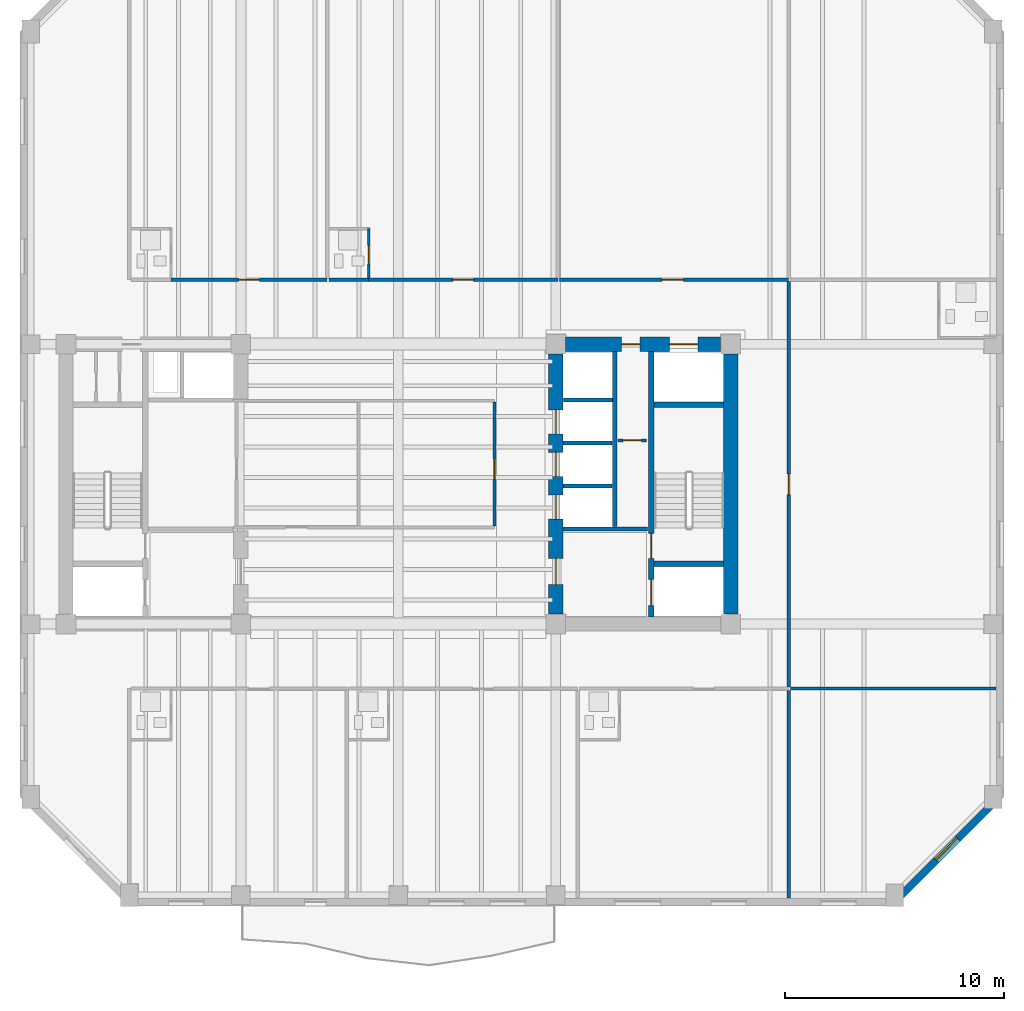
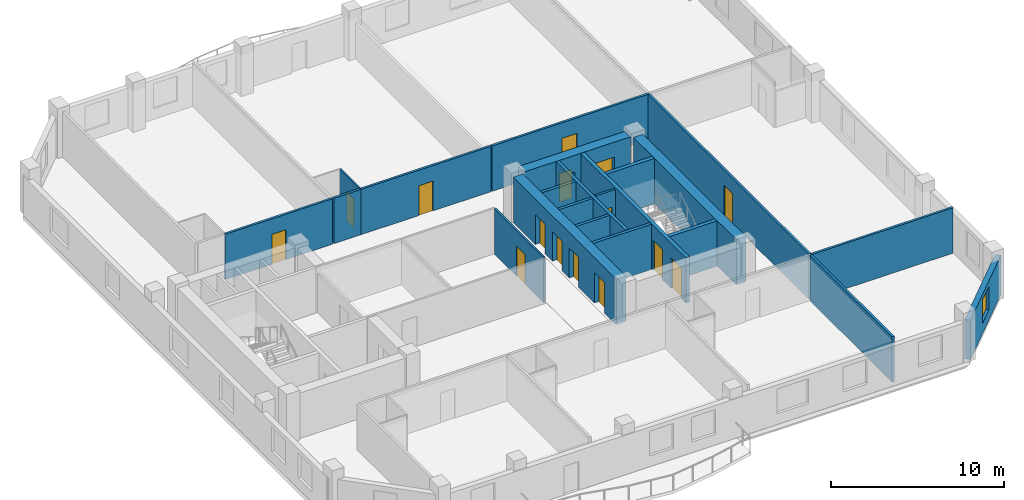
# One storey, part 4 of 9: 22 walls, 15 doors, 1 window, 16 openings.
"""IFC4 building model written with IfcOpenShell, lengths in metres."""

from ifc_helpers import new_model, si_unit, direction, frame, frame_2d, origin, place, context, subcontext, project, spatial, rectangle, extrude, material, layer, layer_set, type_object, element, fill, save


model = new_model("IFC4")

# Units and contexts
model_context = context("Model", 3, precision=1e-05, world=origin(), true_north=direction((0.0, 1.0)))
body_context = subcontext(model_context, "Body", "Model", "MODEL_VIEW")
ifc_project = project(units=[si_unit("LENGTHUNIT", "METRE"), si_unit("AREAUNIT", "SQUARE_METRE"), si_unit("VOLUMEUNIT", "CUBIC_METRE"), si_unit("PLANEANGLEUNIT", "RADIAN"), si_unit("MASSUNIT", "GRAM", prefix="KILO")], contexts=[model_context])

# Site, building, storey
site_placement = place(None, origin())
site = spatial("IfcSite", under=ifc_project, at=site_placement, CompositionType="ELEMENT")
building_placement = place(site_placement, origin())
building = spatial("IfcBuilding", under=site, at=building_placement, Name="Kranthara Brick Stack", CompositionType="ELEMENT")
storey_placement = place(building_placement, frame((0.0, 0.0, 165.800048828125)))
storey = spatial("IfcBuildingStorey", under=building, at=storey_placement, Name="L42", CompositionType="ELEMENT", Elevation=165.800048828125)

# Wall, opening, window
ifc_material_1 = material(Name="Kiln-fired clay brick masonry M15", Category="masonry")
ifc_layer_1 = layer(ifc_material_1, 0.35009765625)
ifc_layer_set_1 = layer_set([ifc_layer_1], Name="Kiln-fired clay brick masonry M15")
wall_type_1 = type_object("IfcWallType", Name="WL-BRK-SPND-350", PredefinedType="STANDARD", material=ifc_layer_set_1)
wall_1_placement = place(storey_placement, frame((55.5048828125, 12.89990234375, 0.0), z_axis=(0.0, 0.0, 1.0), x_axis=(-0.707106781187, -0.707106781187, 0.0)))
wall_1 = element("IfcWall", 1, at=wall_1_placement, inside=storey, type_object=wall_type_1, Name="L42 Exterior Brick Facade Wall SE 1", PredefinedType="STANDARD", context=body_context, shape_type="SweptSolid", body=[
    extrude(rectangle(XDim=6.795166015625, YDim=0.35009765625, at=frame_2d((3.3974609375, 0.0))), origin(), (0.0, 0.0, 1.0), 2.784912109375),
])
opening_1_placement = place(wall_1_placement, frame((2.697998046875, 0.0, 0.75)))
opening_1 = element("IfcOpeningElement", 2, at=opening_1_placement, cuts=wall_1, Name="Opening WN10", PredefinedType="OPENING", context=body_context, shape_type="SweptSolid", body=[
    extrude(rectangle(XDim=1.39990234375, YDim=1.64990234375, at=frame_2d((0.699951171875, 0.824951171875))), frame((0.0, 0.18505859375, 0.0), z_axis=(0.0, -1.0, 0.0), x_axis=(1.0, 0.0, 0.0)), (0.0, 0.0, 1.0), 0.3701171875),
])
ifc_material_2 = material(Name="Double-glazed low-E solar control glass", Category="glass")
window_type = type_object("IfcWindowType", Name="WN-CHM-1400x1750", PartitioningType="SINGLE_PANEL", PredefinedType="WINDOW", material=ifc_material_2)
window_placement = place(opening_1_placement, origin())
window = element("IfcWindow", 3, at=window_placement, inside=storey, type_object=window_type, Name="L42 SE Chamfer Corner Window", OverallHeight=1.64990234375, OverallWidth=1.39990234375, PartitioningType="SINGLE_PANEL", PredefinedType="WINDOW", context=body_context, shape_type="SweptSolid", body=[
    extrude(rectangle(XDim=1.39990234375, YDim=1.64990234375, at=frame_2d((0.699951171875, 0.824951171875))), frame((0.0, -0.010009765625, 0.0), z_axis=(0.0, -1.0, 0.0), x_axis=(1.0, 0.0, 0.0)), (0.0, 0.0, 1.0), 0.06005859375),
])
fill(opening_1, window)

# Wall, openings, doors
ifc_material_3 = material(Name="Concrete C50/60", Category="concrete")
ifc_layer_2 = layer(ifc_material_3, 0.25)
ifc_layer_set_2 = layer_set([ifc_layer_2], Name="Concrete C50/60")
wall_type_2 = type_object("IfcWallType", Name="WL-CORE-250", PredefinedType="SHEAR", material=ifc_layer_set_2)
wall_2_placement = place(storey_placement, frame((39.56494140625, 21.135009765625, 0.0), z_axis=(0.0, 0.0, 1.0), x_axis=(0.0, 1.0, 0.0)))
wall_2 = element("IfcWall", 4, at=wall_2_placement, inside=storey, type_object=wall_type_2, Name="L42 East Core Stair Bearing Spine Wall", PredefinedType="SHEAR", context=body_context, shape_type="SweptSolid", body=[
    extrude(rectangle(XDim=12.1298828125, YDim=0.25, at=frame_2d((6.06494140625, 0.0))), origin(), (0.0, 0.0, 1.0), 3.199951171875),
])
opening_2_placement = place(wall_2_placement, frame((0.514892578125, 0.0, 0.0)))
opening_2 = element("IfcOpeningElement", 5, at=opening_2_placement, cuts=wall_2, Name="Opening LD01", PredefinedType="OPENING", context=body_context, shape_type="SweptSolid", body=[
    extrude(rectangle(XDim=1.199951171875, YDim=2.14990234375, at=frame_2d((0.60009765625, 1.074951171875))), frame((0.0, 0.135009765625, 0.0), z_axis=(0.0, -1.0, 0.0), x_axis=(1.0, 0.0, 0.0)), (0.0, 0.0, 1.0), 0.27001953125),
])
opening_3_placement = place(wall_2_placement, frame((2.6650390625, 0.0, 0.0)))
opening_3 = element("IfcOpeningElement", 6, at=opening_3_placement, cuts=wall_2, Name="Opening D05", PredefinedType="OPENING", context=body_context, shape_type="SweptSolid", body=[
    extrude(rectangle(XDim=1.14990234375, YDim=2.14990234375, at=frame_2d((0.574951171875, 1.074951171875))), frame((0.0, 0.135009765625, 0.0), z_axis=(0.0, -1.0, 0.0), x_axis=(1.0, 0.0, 0.0)), (0.0, 0.0, 1.0), 0.27001953125),
])
ifc_material_4 = material(Name="Stainless steel sliding landing door", Category="steel")
door_type_1 = type_object("IfcDoorType", Name="DR-LD-FF1200", OperationType="DOUBLE_DOOR_SLIDING", PredefinedType="DOOR", material=ifc_material_4)
door_1_placement = place(opening_2_placement, origin())
door_1 = element("IfcDoor", 7, at=door_1_placement, inside=storey, type_object=door_type_1, Name="L42 Firefighting Lift FF-02 Landing Door", OperationType="DOUBLE_DOOR_SLIDING", OverallHeight=2.14990234375, OverallWidth=1.199951171875, PredefinedType="DOOR", context=body_context, shape_type="SweptSolid", body=[
    extrude(rectangle(XDim=1.199951171875, YDim=2.14990234375, at=frame_2d((0.60009765625, 1.074951171875))), frame((0.0, 0.02490234375, 0.0), z_axis=(0.0, -1.0, 0.0), x_axis=(1.0, 0.0, 0.0)), (0.0, 0.0, 1.0), 0.050048828125),
])
fill(opening_2, door_1)
ifc_material_5 = material(Name="Solid-core hardwood timber leaf in steel frame", Category="steel")
door_type_2 = type_object("IfcDoorType", Name="DR-ST-1150", OperationType="NOTDEFINED", PredefinedType="DOOR", material=ifc_material_5)
door_2_placement = place(opening_3_placement, origin())
door_2 = element("IfcDoor", 8, at=door_2_placement, inside=storey, type_object=door_type_2, Name="L42 Exit Stair ST02 Door", OperationType="SINGLE_SWING_LEFT", OverallHeight=2.14990234375, OverallWidth=1.14990234375, PredefinedType="DOOR", context=body_context, shape_type="SweptSolid", body=[
    extrude(rectangle(XDim=1.14990234375, YDim=2.14990234375, at=frame_2d((0.574951171875, 1.074951171875))), frame((0.0, 0.02490234375, 0.0), z_axis=(0.0, -1.0, 0.0), x_axis=(1.0, 0.0, 0.0)), (0.0, 0.0, 1.0), 0.050048828125),
])
fill(opening_3, door_2)

# Walls
for number, where, z_axis, x_axis, name in (
    (9, (39.68994140625, 23.570068359375, 0.0), (0.0, 0.0, 1.0), (1.0, 0.0, 0.0), "L42 East Stairwell Bearing Wall EFF"),
    (10, (39.68994140625, 30.830078125, 0.0), (0.0, 0.0, 1.0), (1.0, 0.0, 0.0), "L42 East Stairwell Bearing Wall EST"),
):
    element("IfcWall", number, at=place(storey_placement, frame(where, z_axis=z_axis, x_axis=x_axis)), inside=storey, type_object=wall_type_2, Name=name, PredefinedType="SHEAR", context=body_context, shape_type="SweptSolid", body=[
        extrude(rectangle(XDim=3.175048828125, YDim=0.25, at=frame_2d((1.58740234375, 0.0))), origin(), (0.0, 0.0, 1.0), 3.199951171875),
    ])
ifc_material_6 = material(Name="Concrete C60/75", Category="concrete")
ifc_layer_3 = layer(ifc_material_6, 0.64990234375)
ifc_layer_set_3 = layer_set([ifc_layer_3], Name="Concrete C60/75")
wall_type_3 = type_object("IfcWallType", Name="WL-CORE-650", PredefinedType="SHEAR", material=ifc_layer_set_3)
wall_3_placement = place(storey_placement, frame((43.199951171875, 21.2548828125, 0.0), z_axis=(0.0, 0.0, 1.0), x_axis=(0.0, 1.0, 0.0)))
element("IfcWall", 11, at=wall_3_placement, inside=storey, type_object=wall_type_3, Name="L42 East Core Shear Wall East", PredefinedType="SHEAR", context=body_context, shape_type="SweptSolid", body=[
    extrude(rectangle(XDim=11.89013671875, YDim=0.64990234375, at=frame_2d((5.945068359375, 0.0))), origin(), (0.0, 0.0, 1.0), 3.199951171875),
])

# Wall, openings, doors
wall_4_placement = place(storey_placement, frame((35.655029296875, 33.60009765625, 0.0), z_axis=(0.0, 0.0, 1.0), x_axis=(1.0, 0.0, 0.0)))
wall_4 = element("IfcWall", 12, at=wall_4_placement, inside=storey, type_object=wall_type_3, Name="L42 East Core Shear Wall North", PredefinedType="SHEAR", context=body_context, shape_type="SweptSolid", body=[
    extrude(rectangle(XDim=7.090087890625, YDim=0.64990234375, at=frame_2d((3.544921875, 0.0))), origin(), (0.0, 0.0, 1.0), 3.199951171875),
])
opening_4_placement = place(wall_4_placement, frame((4.7451171875, 0.0, 0.0)))
opening_4 = element("IfcOpeningElement", 13, at=opening_4_placement, cuts=wall_4, Name="Opening LD03", PredefinedType="OPENING", context=body_context, shape_type="SweptSolid", body=[
    extrude(rectangle(XDim=1.300048828125, YDim=2.14990234375, at=frame_2d((0.64990234375, 1.074951171875))), frame((0.0, 0.3349609375, 0.0), z_axis=(0.0, -1.0, 0.0), x_axis=(1.0, 0.0, 0.0)), (0.0, 0.0, 1.0), 0.669921875),
])
opening_5_placement = place(wall_4_placement, frame((2.544921875, 0.0, 0.0)))
opening_5 = element("IfcOpeningElement", 14, at=opening_5_placement, cuts=wall_4, Name="Opening D10", PredefinedType="OPENING", context=body_context, shape_type="SweptSolid", body=[
    extrude(rectangle(XDim=0.85009765625, YDim=2.02001953125, at=frame_2d((0.425048828125, 1.010009765625))), frame((0.0, 0.3349609375, 0.0), z_axis=(0.0, -1.0, 0.0), x_axis=(1.0, 0.0, 0.0)), (0.0, 0.0, 1.0), 0.669921875),
])
ifc_material_7 = material(Name="Stainless steel sliding landing door", Category="steel")
door_type_3 = type_object("IfcDoorType", Name="DR-LD-SV1300", OperationType="DOUBLE_DOOR_SLIDING", PredefinedType="DOOR", material=ifc_material_7)
door_3_placement = place(opening_4_placement, origin())
door_3 = element("IfcDoor", 15, at=door_3_placement, inside=storey, type_object=door_type_3, Name="L42 Stretcher Service Lift SV-01 Landing Door", OperationType="DOUBLE_DOOR_SLIDING", OverallHeight=2.14990234375, OverallWidth=1.300048828125, PredefinedType="DOOR", context=body_context, shape_type="SweptSolid", body=[
    extrude(rectangle(XDim=1.300048828125, YDim=2.14990234375, at=frame_2d((0.64990234375, 1.074951171875))), frame((0.0, 0.02490234375, 0.0), z_axis=(0.0, -1.0, 0.0), x_axis=(1.0, 0.0, 0.0)), (0.0, 0.0, 1.0), 0.050048828125),
])
fill(opening_4, door_3)
ifc_material_8 = material(Name="Solid-core hardwood timber leaf in steel frame", Category="steel")
door_type_4 = type_object("IfcDoorType", Name="DR-RSR-850", OperationType="NOTDEFINED", PredefinedType="DOOR", material=ifc_material_8)
door_4_placement = place(opening_5_placement, origin())
door_4 = element("IfcDoor", 16, at=door_4_placement, inside=storey, type_object=door_type_4, Name="L42 East Core Service Room Door", OperationType="SINGLE_SWING_LEFT", OverallHeight=2.02001953125, OverallWidth=0.85009765625, PredefinedType="DOOR", context=body_context, shape_type="SweptSolid", body=[
    extrude(rectangle(XDim=0.85009765625, YDim=2.02001953125, at=frame_2d((0.425048828125, 1.010009765625))), frame((0.0, 0.02490234375, 0.0), z_axis=(0.0, -1.0, 0.0), x_axis=(1.0, 0.0, 0.0)), (0.0, 0.0, 1.0), 0.050048828125),
])
fill(opening_5, door_4)

wall_5_placement = place(storey_placement, frame((35.199951171875, 21.2548828125, 0.0), z_axis=(0.0, 0.0, 1.0), x_axis=(0.0, 1.0, 0.0)))
wall_5 = element("IfcWall", 17, at=wall_5_placement, inside=storey, type_object=wall_type_3, Name="L42 East Core Shear Wall West", PredefinedType="SHEAR", context=body_context, shape_type="SweptSolid", body=[
    extrude(rectangle(XDim=11.89013671875, YDim=0.64990234375, at=frame_2d((5.945068359375, 0.0))), origin(), (0.0, 0.0, 1.0), 3.199951171875),
])
opening_6_placement = place(wall_5_placement, frame((1.344970703125, 0.0, 0.0)))
opening_6 = element("IfcOpeningElement", 18, at=opening_6_placement, cuts=wall_5, Name="Opening D06", PredefinedType="OPENING", context=body_context, shape_type="SweptSolid", body=[
    extrude(rectangle(XDim=1.199951171875, YDim=2.14990234375, at=frame_2d((0.60009765625, 1.074951171875))), frame((0.0, 0.3349609375, 0.0), z_axis=(0.0, -1.0, 0.0), x_axis=(1.0, 0.0, 0.0)), (0.0, 0.0, 1.0), 0.669921875),
])
opening_7_placement = place(wall_5_placement, frame((4.344970703125, 0.0, 0.0)))
opening_7 = element("IfcOpeningElement", 19, at=opening_7_placement, cuts=wall_5, Name="Opening LD02", PredefinedType="OPENING", context=body_context, shape_type="SweptSolid", body=[
    extrude(rectangle(XDim=1.10009765625, YDim=2.10009765625, at=frame_2d((0.550048828125, 1.050048828125))), frame((0.0, 0.3349609375, 0.0), z_axis=(0.0, -1.0, 0.0), x_axis=(1.0, 0.0, 0.0)), (0.0, 0.0, 1.0), 0.669921875),
])
opening_8_placement = place(wall_5_placement, frame((6.294921875, 0.0, 0.0)))
opening_8 = element("IfcOpeningElement", 20, at=opening_8_placement, cuts=wall_5, Name="Opening LD02", PredefinedType="OPENING", context=body_context, shape_type="SweptSolid", body=[
    extrude(rectangle(XDim=1.10009765625, YDim=2.10009765625, at=frame_2d((0.550048828125, 1.050048828125))), frame((0.0, 0.3349609375, 0.0), z_axis=(0.0, -1.0, 0.0), x_axis=(1.0, 0.0, 0.0)), (0.0, 0.0, 1.0), 0.669921875),
])
opening_9_placement = place(wall_5_placement, frame((8.2451171875, 0.0, 0.0)))
opening_9 = element("IfcOpeningElement", 21, at=opening_9_placement, cuts=wall_5, Name="Opening LD02", PredefinedType="OPENING", context=body_context, shape_type="SweptSolid", body=[
    extrude(rectangle(XDim=1.10009765625, YDim=2.10009765625, at=frame_2d((0.550048828125, 1.050048828125))), frame((0.0, 0.3349609375, 0.0), z_axis=(0.0, -1.0, 0.0), x_axis=(1.0, 0.0, 0.0)), (0.0, 0.0, 1.0), 0.669921875),
])
ifc_material_9 = material(Name="Solid-core hardwood timber leaf in steel frame", Category="steel")
door_type_5 = type_object("IfcDoorType", Name="DR-FFL-1200", OperationType="NOTDEFINED", PredefinedType="DOOR", material=ifc_material_9)
door_5_placement = place(opening_6_placement, origin())
door_5 = element("IfcDoor", 22, at=door_5_placement, inside=storey, type_object=door_type_5, Name="L42 East Firefighting Lobby Door", OperationType="SINGLE_SWING_RIGHT", OverallHeight=2.14990234375, OverallWidth=1.199951171875, PredefinedType="DOOR", context=body_context, shape_type="SweptSolid", body=[
    extrude(rectangle(XDim=1.199951171875, YDim=2.14990234375, at=frame_2d((0.60009765625, 1.074951171875))), frame((0.0, 0.02490234375, 0.0), z_axis=(0.0, -1.0, 0.0), x_axis=(1.0, 0.0, 0.0)), (0.0, 0.0, 1.0), 0.050048828125),
])
fill(opening_6, door_5)
ifc_material_10 = material(Name="Stainless steel sliding landing door", Category="steel")
door_type_6 = type_object("IfcDoorType", Name="DR-LD-PL1100", OperationType="DOUBLE_DOOR_SLIDING", PredefinedType="DOOR", material=ifc_material_10)
door_6_placement = place(opening_7_placement, origin())
door_6 = element("IfcDoor", 23, at=door_6_placement, inside=storey, type_object=door_type_6, Name="L42 PL-04 Lift Landing Door", OperationType="DOUBLE_DOOR_SLIDING", OverallHeight=2.10009765625, OverallWidth=1.10009765625, PredefinedType="DOOR", context=body_context, shape_type="SweptSolid", body=[
    extrude(rectangle(XDim=1.10009765625, YDim=2.10009765625, at=frame_2d((0.550048828125, 1.050048828125))), frame((0.0, 0.02490234375, 0.0), z_axis=(0.0, -1.0, 0.0), x_axis=(1.0, 0.0, 0.0)), (0.0, 0.0, 1.0), 0.050048828125),
])
fill(opening_7, door_6)
door_7_placement = place(opening_8_placement, origin())
door_7 = element("IfcDoor", 24, at=door_7_placement, inside=storey, type_object=door_type_6, Name="L42 PL-05 Lift Landing Door", OperationType="DOUBLE_DOOR_SLIDING", OverallHeight=2.10009765625, OverallWidth=1.10009765625, PredefinedType="DOOR", context=body_context, shape_type="SweptSolid", body=[
    extrude(rectangle(XDim=1.10009765625, YDim=2.10009765625, at=frame_2d((0.550048828125, 1.050048828125))), frame((0.0, 0.02490234375, 0.0), z_axis=(0.0, -1.0, 0.0), x_axis=(1.0, 0.0, 0.0)), (0.0, 0.0, 1.0), 0.050048828125),
])
fill(opening_8, door_7)
door_8_placement = place(opening_9_placement, origin())
door_8 = element("IfcDoor", 25, at=door_8_placement, inside=storey, type_object=door_type_6, Name="L42 PL-06 Lift Landing Door", OperationType="DOUBLE_DOOR_SLIDING", OverallHeight=2.10009765625, OverallWidth=1.10009765625, PredefinedType="DOOR", context=body_context, shape_type="SweptSolid", body=[
    extrude(rectangle(XDim=1.10009765625, YDim=2.10009765625, at=frame_2d((0.550048828125, 1.050048828125))), frame((0.0, 0.02490234375, 0.0), z_axis=(0.0, -1.0, 0.0), x_axis=(1.0, 0.0, 0.0)), (0.0, 0.0, 1.0), 0.050048828125),
])
fill(opening_9, door_8)

# Wall, opening, door
ifc_material_11 = material(Name="Moisture-resistant wet-room partition", Category="other")
ifc_layer_4 = layer(ifc_material_11, 0.10009765625)
ifc_layer_set_4 = layer_set([ifc_layer_4], Name="Moisture-resistant wet-room partition")
wall_type_4 = type_object("IfcWallType", Name="WL-PART-100", PredefinedType="PARTITIONING", material=ifc_layer_set_4)
wall_6_placement = place(storey_placement, frame((26.64501953125, 36.6298828125, 0.0), z_axis=(0.0, 0.0, 1.0), x_axis=(0.0, 1.0, 0.0)))
wall_6 = element("IfcWall", 26, at=wall_6_placement, inside=storey, type_object=wall_type_4, Name="L42 Interior Partition 033", PredefinedType="PARTITIONING", context=body_context, shape_type="SweptSolid", body=[
    extrude(rectangle(XDim=2.25, YDim=0.10009765625, at=frame_2d((1.125, 0.0))), origin(), (0.0, 0.0, 1.0), 3.199951171875),
])
opening_10_placement = place(wall_6_placement, frame((0.639892578125, 0.0, 0.0)))
opening_10 = element("IfcOpeningElement", 27, at=opening_10_placement, cuts=wall_6, Name="Opening D17", PredefinedType="OPENING", context=body_context, shape_type="SweptSolid", body=[
    extrude(rectangle(XDim=0.85009765625, YDim=2.050048828125, at=frame_2d((0.425048828125, 1.02490234375))), frame((0.0, 0.06005859375, 0.0), z_axis=(0.0, -1.0, 0.0), x_axis=(1.0, 0.0, 0.0)), (0.0, 0.0, 1.0), 0.1201171875),
])
ifc_material_12 = material(Name="Solid-core hardwood timber leaf in steel frame", Category="steel")
door_type_7 = type_object("IfcDoorType", Name="DR-WET-850", OperationType="NOTDEFINED", PredefinedType="DOOR", material=ifc_material_12)
door_9_placement = place(opening_10_placement, origin())
door_9 = element("IfcDoor", 28, at=door_9_placement, inside=storey, type_object=door_type_7, Name="L42 Key 05 En-Suite Door 15", OperationType="SINGLE_SWING_LEFT", OverallHeight=2.050048828125, OverallWidth=0.85009765625, PredefinedType="DOOR", context=body_context, shape_type="SweptSolid", body=[
    extrude(rectangle(XDim=0.85009765625, YDim=2.050048828125, at=frame_2d((0.425048828125, 1.02490234375))), frame((0.0, 0.02490234375, 0.0), z_axis=(0.0, -1.0, 0.0), x_axis=(1.0, 0.0, 0.0)), (0.0, 0.0, 1.0), 0.050048828125),
])
fill(opening_10, door_9)

ifc_material_13 = material(Name="Acoustic gypsum plasterboard partition", Category="other")
ifc_layer_5 = layer(ifc_material_13, 0.1201171875)
ifc_layer_set_5 = layer_set([ifc_layer_5], Name="Acoustic gypsum plasterboard partition")
wall_type_5 = type_object("IfcWallType", Name="WL-PART-120", PredefinedType="PARTITIONING", material=ifc_layer_set_5)
wall_7_placement = place(storey_placement, frame((32.39990234375, 25.284912109375, 0.0), z_axis=(0.0, 0.0, 1.0), x_axis=(0.0, 1.0, 0.0)))
wall_7 = element("IfcWall", 29, at=wall_7_placement, inside=storey, type_object=wall_type_5, Name="L42 Interior Partition 006", PredefinedType="PARTITIONING", context=body_context, shape_type="SweptSolid", body=[
    extrude(rectangle(XDim=5.670166015625, YDim=0.1201171875, at=frame_2d((2.8349609375, 0.0))), origin(), (0.0, 0.0, 1.0), 3.199951171875),
])
opening_11_placement = place(wall_7_placement, frame((2.135009765625, 0.0, 0.0)))
opening_11 = element("IfcOpeningElement", 30, at=opening_11_placement, cuts=wall_7, Name="Opening D14", PredefinedType="OPENING", context=body_context, shape_type="SweptSolid", body=[
    extrude(rectangle(XDim=0.949951171875, YDim=2.10009765625, at=frame_2d((0.47509765625, 1.050048828125))), frame((0.0, 0.070068359375, 0.0), z_axis=(0.0, -1.0, 0.0), x_axis=(1.0, 0.0, 0.0)), (0.0, 0.0, 1.0), 0.14013671875),
])
ifc_material_14 = material(Name="Solid-core hardwood timber leaf in steel frame", Category="steel")
door_type_8 = type_object("IfcDoorType", Name="DR-INT-950", OperationType="NOTDEFINED", PredefinedType="DOOR", material=ifc_material_14)
door_10_placement = place(opening_11_placement, origin())
door_10 = element("IfcDoor", 31, at=door_10_placement, inside=storey, type_object=door_type_8, Name="L42 Housekeeping Linen Door 06", OperationType="SINGLE_SWING_RIGHT", OverallHeight=2.10009765625, OverallWidth=0.949951171875, PredefinedType="DOOR", context=body_context, shape_type="SweptSolid", body=[
    extrude(rectangle(XDim=0.949951171875, YDim=2.10009765625, at=frame_2d((0.47509765625, 1.050048828125))), frame((0.0, 0.02490234375, 0.0), z_axis=(0.0, -1.0, 0.0), x_axis=(1.0, 0.0, 0.0)), (0.0, 0.0, 1.0), 0.050048828125),
])
fill(opening_11, door_10)

ifc_material_15 = material(Name="Fire-rated gypsum board partition", Category="other")
ifc_layer_6 = layer(ifc_material_15, 0.14990234375)
ifc_layer_set_6 = layer_set([ifc_layer_6], Name="Fire-rated gypsum board partition")
wall_type_6 = type_object("IfcWallType", Name="WL-PART-150", PredefinedType="PARTITIONING", material=ifc_layer_set_6)
wall_8_placement = place(storey_placement, frame((38.050048828125, 29.199951171875, 0.0), z_axis=(0.0, 0.0, 1.0), x_axis=(1.0, 0.0, 0.0)))
wall_8 = element("IfcWall", 32, at=wall_8_placement, inside=storey, type_object=wall_type_6, Name="L42 Interior Partition 003", PredefinedType="PARTITIONING", context=body_context, shape_type="SweptSolid", body=[
    extrude(rectangle(XDim=1.300048828125, YDim=0.14990234375, at=frame_2d((0.64990234375, 0.0))), origin(), (0.0, 0.0, 1.0), 3.199951171875),
])
opening_12_placement = place(wall_8_placement, frame((0.219970703125, 0.0, 0.0)))
opening_12 = element("IfcOpeningElement", 33, at=opening_12_placement, cuts=wall_8, Name="Opening D10", PredefinedType="OPENING", context=body_context, shape_type="SweptSolid", body=[
    extrude(rectangle(XDim=0.85009765625, YDim=2.02001953125, at=frame_2d((0.425048828125, 1.010009765625))), frame((0.0, 0.0849609375, 0.0), z_axis=(0.0, -1.0, 0.0), x_axis=(1.0, 0.0, 0.0)), (0.0, 0.0, 1.0), 0.169921875),
])
door_11_placement = place(opening_12_placement, origin())
door_11 = element("IfcDoor", 34, at=door_11_placement, inside=storey, type_object=door_type_4, Name="L42 East Service Door 03", OperationType="SINGLE_SWING_LEFT", OverallHeight=2.02001953125, OverallWidth=0.85009765625, PredefinedType="DOOR", context=body_context, shape_type="SweptSolid", body=[
    extrude(rectangle(XDim=0.85009765625, YDim=2.02001953125, at=frame_2d((0.425048828125, 1.010009765625))), frame((0.0, 0.02490234375, 0.0), z_axis=(0.0, -1.0, 0.0), x_axis=(1.0, 0.0, 0.0)), (0.0, 0.0, 1.0), 0.050048828125),
])
fill(opening_12, door_11)

# Wall
wall_9_placement = place(storey_placement, frame((45.85009765625, 8.27490234375, 0.0), z_axis=(0.0, 0.0, 1.0), x_axis=(0.0, 1.0, 0.0)))
element("IfcWall", 35, at=wall_9_placement, inside=storey, type_object=wall_type_6, Name="L42 Interior Partition 024", PredefinedType="PARTITIONING", context=body_context, shape_type="SweptSolid", body=[
    extrude(rectangle(XDim=9.4951171875, YDim=0.14990234375, at=frame_2d((4.74755859375, 0.0))), origin(), (0.0, 0.0, 1.0), 3.199951171875),
])

# Wall, opening, door
wall_10_placement = place(storey_placement, frame((17.60009765625, 36.550048828125, 0.0), z_axis=(0.0, 0.0, 1.0), x_axis=(1.0, 0.0, 0.0)))
wall_10 = element("IfcWall", 36, at=wall_10_placement, inside=storey, type_object=wall_type_6, Name="L42 Interior Partition 027", PredefinedType="PARTITIONING", context=body_context, shape_type="SweptSolid", body=[
    extrude(rectangle(XDim=7.14501953125, YDim=0.14990234375, at=frame_2d((3.572509765625, 0.0))), origin(), (0.0, 0.0, 1.0), 3.199951171875),
])
opening_13_placement = place(wall_10_placement, frame((3.092041015625, 0.0, 0.0)))
opening_13 = element("IfcOpeningElement", 37, at=opening_13_placement, cuts=wall_10, Name="Opening D09", PredefinedType="OPENING", context=body_context, shape_type="SweptSolid", body=[
    extrude(rectangle(XDim=0.949951171875, YDim=2.10009765625, at=frame_2d((0.47509765625, 1.050048828125))), frame((0.0, 0.0849609375, 0.0), z_axis=(0.0, -1.0, 0.0), x_axis=(1.0, 0.0, 0.0)), (0.0, 0.0, 1.0), 0.169921875),
])
ifc_material_16 = material(Name="Solid-core hardwood timber leaf in steel frame", Category="steel")
door_type_9 = type_object("IfcDoorType", Name="DR-FD-950", OperationType="NOTDEFINED", PredefinedType="DOOR", material=ifc_material_16)
door_12_placement = place(opening_13_placement, origin())
door_12 = element("IfcDoor", 38, at=door_12_placement, inside=storey, type_object=door_type_9, Name="L42 Key 04 Entry 14", OperationType="SINGLE_SWING_RIGHT", OverallHeight=2.10009765625, OverallWidth=0.949951171875, PredefinedType="DOOR", context=body_context, shape_type="SweptSolid", body=[
    extrude(rectangle(XDim=0.949951171875, YDim=2.10009765625, at=frame_2d((0.47509765625, 1.050048828125))), frame((0.0, 0.02490234375, 0.0), z_axis=(0.0, -1.0, 0.0), x_axis=(1.0, 0.0, 0.0)), (0.0, 0.0, 1.0), 0.050048828125),
])
fill(opening_13, door_12)

# Wall
wall_11_placement = place(storey_placement, frame((24.824951171875, 36.550048828125, 0.0), z_axis=(0.0, 0.0, 1.0), x_axis=(1.0, 0.0, 0.0)))
element("IfcWall", 39, at=wall_11_placement, inside=storey, type_object=wall_type_6, Name="L42 Interior Partition 031", PredefinedType="PARTITIONING", context=body_context, shape_type="SweptSolid", body=[
    extrude(rectangle(XDim=1.820068359375, YDim=0.14990234375, at=frame_2d((0.91015625, 0.0))), origin(), (0.0, 0.0, 1.0), 3.199951171875),
])

# Wall, opening, door
wall_12_placement = place(storey_placement, frame((26.64501953125, 36.550048828125, 0.0), z_axis=(0.0, 0.0, 1.0), x_axis=(1.0, 0.0, 0.0)))
wall_12 = element("IfcWall", 40, at=wall_12_placement, inside=storey, type_object=wall_type_6, Name="L42 Interior Partition 032", PredefinedType="PARTITIONING", context=body_context, shape_type="SweptSolid", body=[
    extrude(rectangle(XDim=8.652099609375, YDim=0.14990234375, at=frame_2d((4.326171875, 0.0))), origin(), (0.0, 0.0, 1.0), 3.199951171875),
])
opening_14_placement = place(wall_12_placement, frame((3.845947265625, 0.0, 0.0)))
opening_14 = element("IfcOpeningElement", 41, at=opening_14_placement, cuts=wall_12, Name="Opening D09", PredefinedType="OPENING", context=body_context, shape_type="SweptSolid", body=[
    extrude(rectangle(XDim=0.949951171875, YDim=2.10009765625, at=frame_2d((0.47509765625, 1.050048828125))), frame((0.0, 0.0849609375, 0.0), z_axis=(0.0, -1.0, 0.0), x_axis=(1.0, 0.0, 0.0)), (0.0, 0.0, 1.0), 0.169921875),
])
door_13_placement = place(opening_14_placement, origin())
door_13 = element("IfcDoor", 42, at=door_13_placement, inside=storey, type_object=door_type_9, Name="L42 Key 05 Entry 16", OperationType="SINGLE_SWING_RIGHT", OverallHeight=2.10009765625, OverallWidth=0.949951171875, PredefinedType="DOOR", context=body_context, shape_type="SweptSolid", body=[
    extrude(rectangle(XDim=0.949951171875, YDim=2.10009765625, at=frame_2d((0.47509765625, 1.050048828125))), frame((0.0, 0.02490234375, 0.0), z_axis=(0.0, -1.0, 0.0), x_axis=(1.0, 0.0, 0.0)), (0.0, 0.0, 1.0), 0.050048828125),
])
fill(opening_14, door_13)

wall_13_placement = place(storey_placement, frame((35.376953125, 36.550048828125, 0.0), z_axis=(0.0, 0.0, 1.0), x_axis=(1.0, 0.0, 0.0)))
wall_13 = element("IfcWall", 43, at=wall_13_placement, inside=storey, type_object=wall_type_6, Name="L42 Interior Partition 036", PredefinedType="PARTITIONING", context=body_context, shape_type="SweptSolid", body=[
    extrude(rectangle(XDim=10.47314453125, YDim=0.14990234375, at=frame_2d((5.236572265625, 0.0))), origin(), (0.0, 0.0, 1.0), 3.199951171875),
])
opening_15_placement = place(wall_13_placement, frame((4.676025390625, 0.0, 0.0)))
opening_15 = element("IfcOpeningElement", 44, at=opening_15_placement, cuts=wall_13, Name="Opening D08", PredefinedType="OPENING", context=body_context, shape_type="SweptSolid", body=[
    extrude(rectangle(XDim=1.0, YDim=2.10009765625, at=frame_2d((0.5, 1.050048828125))), frame((0.0, 0.0849609375, 0.0), z_axis=(0.0, -1.0, 0.0), x_axis=(1.0, 0.0, 0.0)), (0.0, 0.0, 1.0), 0.169921875),
])
ifc_material_17 = material(Name="Solid-core hardwood timber leaf in steel frame", Category="steel")
door_type_10 = type_object("IfcDoorType", Name="DR-FD-1000", OperationType="NOTDEFINED", PredefinedType="DOOR", material=ifc_material_17)
door_14_placement = place(opening_15_placement, origin())
door_14 = element("IfcDoor", 45, at=door_14_placement, inside=storey, type_object=door_type_10, Name="L42 Guest Lounge 17", OperationType="SINGLE_SWING_LEFT", OverallHeight=2.10009765625, OverallWidth=1.0, PredefinedType="DOOR", context=body_context, shape_type="SweptSolid", body=[
    extrude(rectangle(XDim=1.0, YDim=2.10009765625, at=frame_2d((0.5, 1.050048828125))), frame((0.0, 0.02490234375, 0.0), z_axis=(0.0, -1.0, 0.0), x_axis=(1.0, 0.0, 0.0)), (0.0, 0.0, 1.0), 0.050048828125),
])
fill(opening_15, door_14)

# Wall
wall_14_placement = place(storey_placement, frame((45.929931640625, 17.85009765625, 0.0), z_axis=(0.0, 0.0, 1.0), x_axis=(1.0, 0.0, 0.0)))
element("IfcWall", 46, at=wall_14_placement, inside=storey, type_object=wall_type_6, Name="L42 Interior Partition 038", PredefinedType="PARTITIONING", context=body_context, shape_type="SweptSolid", body=[
    extrude(rectangle(XDim=9.39501953125, YDim=0.14990234375, at=frame_2d((4.697509765625, 0.0))), origin(), (0.0, 0.0, 1.0), 3.199951171875),
])

# Wall, opening, door
wall_15_placement = place(storey_placement, frame((45.85009765625, 17.929931640625, 0.0), z_axis=(0.0, 0.0, 1.0), x_axis=(0.0, 1.0, 0.0)))
wall_15 = element("IfcWall", 47, at=wall_15_placement, inside=storey, type_object=wall_type_6, Name="L42 Interior Partition 040", PredefinedType="PARTITIONING", context=body_context, shape_type="SweptSolid", body=[
    extrude(rectangle(XDim=18.5400390625, YDim=0.14990234375, at=frame_2d((9.27001953125, 0.0))), origin(), (0.0, 0.0, 1.0), 3.199951171875),
])
opening_16_placement = place(wall_15_placement, frame((8.7900390625, 0.0, 0.0)))
opening_16 = element("IfcOpeningElement", 48, at=opening_16_placement, cuts=wall_15, Name="Opening D09", PredefinedType="OPENING", context=body_context, shape_type="SweptSolid", body=[
    extrude(rectangle(XDim=0.949951171875, YDim=2.10009765625, at=frame_2d((0.47509765625, 1.050048828125))), frame((0.0, 0.0849609375, 0.0), z_axis=(0.0, -1.0, 0.0), x_axis=(1.0, 0.0, 0.0)), (0.0, 0.0, 1.0), 0.169921875),
])
door_15_placement = place(opening_16_placement, origin())
door_15 = element("IfcDoor", 49, at=door_15_placement, inside=storey, type_object=door_type_9, Name="L42 East Key 7 19", OperationType="SINGLE_SWING_LEFT", OverallHeight=2.10009765625, OverallWidth=0.949951171875, PredefinedType="DOOR", context=body_context, shape_type="SweptSolid", body=[
    extrude(rectangle(XDim=0.949951171875, YDim=2.10009765625, at=frame_2d((0.47509765625, 1.050048828125))), frame((0.0, 0.02490234375, 0.0), z_axis=(0.0, -1.0, 0.0), x_axis=(1.0, 0.0, 0.0)), (0.0, 0.0, 1.0), 0.050048828125),
])
fill(opening_16, door_15)

# Walls
ifc_material_18 = material(Name="Gypsum plasterboard on acoustic twin stud", Category="other")
ifc_layer_7 = layer(ifc_material_18, 0.179931640625)
ifc_layer_set_7 = layer_set([ifc_layer_7], Name="Gypsum plasterboard on acoustic twin stud")
wall_type_7 = type_object("IfcWallType", Name="WL-PART-180", PredefinedType="PARTITIONING", material=ifc_layer_set_7)
for number, where, z_axis, x_axis, name in (
    (50, (35.534912109375, 27.1201171875, 0.0), (0.0, 0.0, 1.0), (1.0, 0.0, 0.0), "L42 East Hoistway Wall EH1"),
    (51, (35.534912109375, 29.080078125, 0.0), (0.0, 0.0, 1.0), (1.0, 0.0, 0.0), "L42 East Hoistway Wall EH2"),
):
    element("IfcWall", number, at=place(storey_placement, frame(where, z_axis=z_axis, x_axis=x_axis)), inside=storey, type_object=wall_type_7, Name=name, PredefinedType="PARTITIONING", context=body_context, shape_type="SweptSolid", body=[
        extrude(rectangle(XDim=2.2451171875, YDim=0.179931640625, at=frame_2d((1.12255859375, 0.0))), origin(), (0.0, 0.0, 1.0), 3.199951171875),
    ])
ifc_material_19 = material(Name="Concrete C40/50", Category="concrete")
ifc_layer_8 = layer(ifc_material_19, 0.199951171875)
ifc_layer_set_8 = layer_set([ifc_layer_8], Name="Concrete C40/50")
wall_type_8 = type_object("IfcWallType", Name="WL-PART-200", PredefinedType="SOLIDWALL", material=ifc_layer_set_8)
wall_16_placement = place(storey_placement, frame((35.534912109375, 25.14990234375, 0.0), z_axis=(0.0, 0.0, 1.0), x_axis=(1.0, 0.0, 0.0)))
element("IfcWall", 52, at=wall_16_placement, inside=storey, type_object=wall_type_8, Name="L42 East Core Cross Wall EFL", PredefinedType="SOLIDWALL", context=body_context, shape_type="SweptSolid", body=[
    extrude(rectangle(XDim=3.864990234375, YDim=0.199951171875, at=frame_2d((1.9326171875, 0.0))), origin(), (0.0, 0.0, 1.0), 3.199951171875),
])
wall_17_placement = place(storey_placement, frame((35.550048828125, 31.050048828125, 0.0), z_axis=(0.0, 0.0, 1.0), x_axis=(1.0, 0.0, 0.0)))
element("IfcWall", 53, at=wall_17_placement, inside=storey, type_object=wall_type_8, Name="L42 East Core Cross Wall EE4", PredefinedType="SOLIDWALL", context=body_context, shape_type="SweptSolid", body=[
    extrude(rectangle(XDim=2.25, YDim=0.199951171875, at=frame_2d((1.125, 0.0))), origin(), (0.0, 0.0, 1.0), 3.199951171875),
])
wall_18_placement = place(storey_placement, frame((37.89990234375, 25.27001953125, 0.0), z_axis=(0.0, 0.0, 1.0), x_axis=(0.0, 1.0, 0.0)))
element("IfcWall", 54, at=wall_18_placement, inside=storey, type_object=wall_type_8, Name="L42 East Core Cross Wall ESV", PredefinedType="SOLIDWALL", context=body_context, shape_type="SweptSolid", body=[
    extrude(rectangle(XDim=7.994873046875, YDim=0.199951171875, at=frame_2d((3.99755859375, 0.0))), origin(), (0.0, 0.0, 1.0), 3.199951171875),
])

save(model, "model.ifc")
